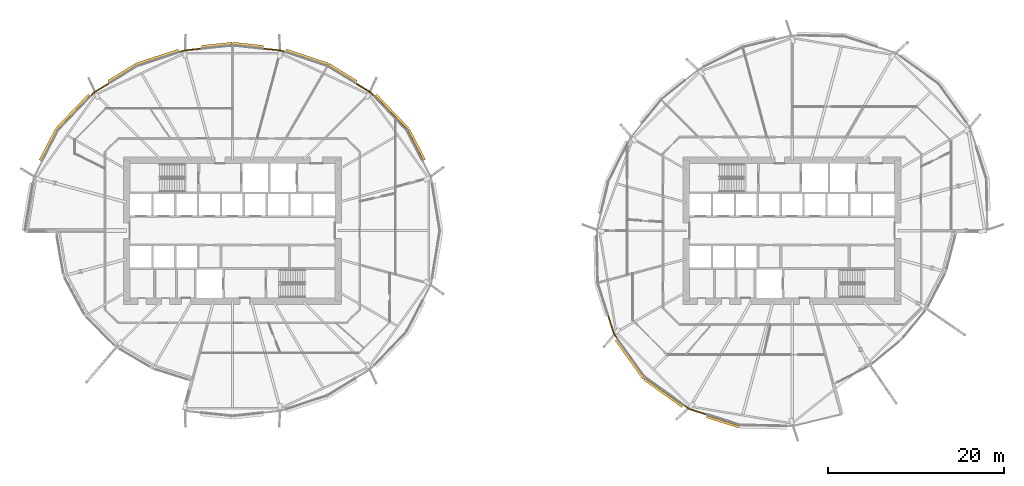
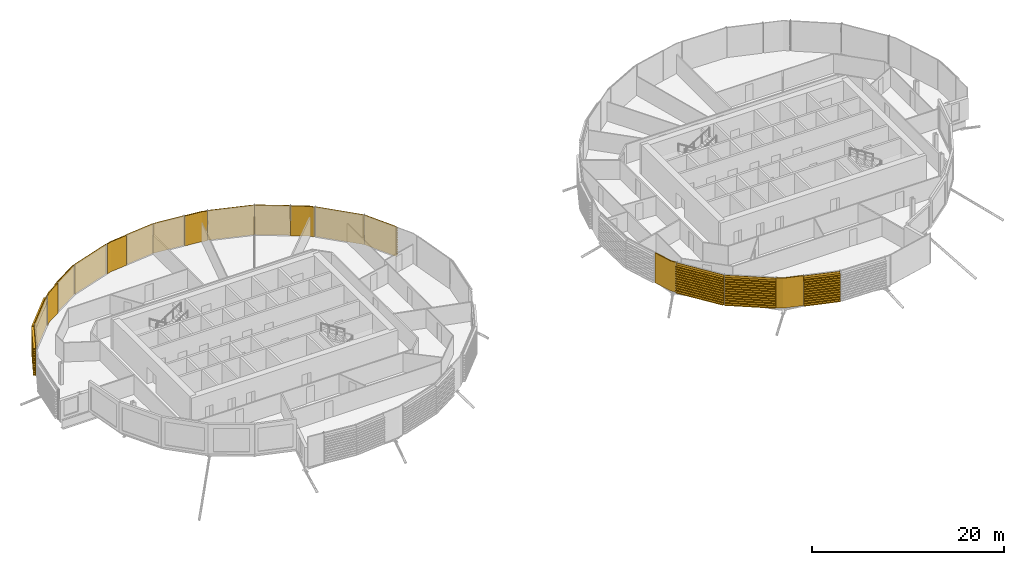
# One storey, part 36 of 39: 19 coverings.
"""IFC4 building model written with IfcOpenShell, lengths in metres."""

from ifc_helpers import new_model, si_unit, direction, frame, origin, place, context, subcontext, project, spatial, polyline, outline, extrude, material, layer, layer_set, material_profile, profile_set, type_object, element, save


model = new_model("IFC4")

# Units and contexts
model_context = context("Model", 3, precision=1e-05, world=origin(), true_north=direction((0.0, 1.0)))
body_context = subcontext(model_context, "Body", "Model", "MODEL_VIEW")
ifc_project = project(units=[si_unit("LENGTHUNIT", "METRE"), si_unit("AREAUNIT", "SQUARE_METRE"), si_unit("VOLUMEUNIT", "CUBIC_METRE"), si_unit("PLANEANGLEUNIT", "RADIAN"), si_unit("MASSUNIT", "GRAM", prefix="KILO")], contexts=[model_context])

# Site, building, storey
site_placement = place(None, origin())
site = spatial("IfcSite", under=ifc_project, at=site_placement, CompositionType="ELEMENT")
building_placement = place(site_placement, origin())
building = spatial("IfcBuilding", under=site, at=building_placement, Name="Rimbun Link Towers", CompositionType="ELEMENT")
storey_placement = place(building_placement, frame((0.0, 0.0, 96.800048828125)))
storey = spatial("IfcBuildingStorey", under=building, at=storey_placement, Name="L23", CompositionType="ELEMENT", Elevation=96.800048828125)

# Coverings
ifc_material_1 = material(Name="Terracotta", Category="masonry")
ifc_layer = layer(ifc_material_1, 0.1201171875)
ifc_layer_set = layer_set([ifc_layer], Name="LINK PIER terracotta cladding 120")
covering_type_1 = type_object("IfcCoveringType", Name="LINK PIER terracotta cladding 120", PredefinedType="CLADDING", material=ifc_layer_set)
covering_1_placement = place(storey_placement, origin())
element("IfcCovering", 1, at=covering_1_placement, inside=storey, type_object=covering_type_1, Name="LINK PIER cladding", PredefinedType="CLADDING", context=body_context, shape_type="SweptSolid", body=[
    extrude(outline(polyline([(-17.78125, 16.678466796875), (-16.102294921875, 15.647705078125), (-15.7080078125, 15.236083984375), (-15.621337890625, 15.319091796875), (-16.0263671875, 15.74169921875), (-17.718505859375, 16.78076171875), (-17.78125, 16.678466796875)])), origin(), (0.0, 0.0, 1.0), 3.800048828125),
])
covering_2_placement = place(storey_placement, origin())
element("IfcCovering", 2, at=covering_2_placement, inside=storey, type_object=covering_type_1, Name="LINK PIER cladding", PredefinedType="CLADDING", context=body_context, shape_type="SweptSolid", body=[
    extrude(outline(polyline([(-28.24267578125, 20.607666015625), (-26.283447265625, 20.4013671875), (-25.742431640625, 20.221923828125), (-25.70458984375, 20.3359375), (-26.258056640625, 20.519287109375), (-28.22998046875, 20.72705078125), (-28.24267578125, 20.607666015625)])), origin(), (0.0, 0.0, 1.0), 3.800048828125),
])
covering_3_placement = place(storey_placement, origin())
element("IfcCovering", 3, at=covering_3_placement, inside=storey, type_object=covering_type_1, Name="LINK PIER cladding", PredefinedType="CLADDING", context=body_context, shape_type="SweptSolid", body=[
    extrude(outline(polyline([(-37.757568359375, 20.221923828125), (-37.216552734375, 20.4013671875), (-35.25732421875, 20.607666015625), (-35.27001953125, 20.72705078125), (-37.241943359375, 20.519287109375), (-37.79541015625, 20.3359375), (-37.757568359375, 20.221923828125)])), origin(), (0.0, 0.0, 1.0), 3.800048828125),
])
covering_4_placement = place(storey_placement, origin())
element("IfcCovering", 4, at=covering_4_placement, inside=storey, type_object=covering_type_1, Name="LINK PIER cladding", PredefinedType="CLADDING", context=body_context, shape_type="SweptSolid", body=[
    extrude(outline(polyline([(-47.7919921875, 15.236083984375), (-47.397705078125, 15.647705078125), (-45.71875, 16.678466796875), (-45.781494140625, 16.78076171875), (-47.4736328125, 15.74169921875), (-47.878662109375, 15.319091796875), (-47.7919921875, 15.236083984375)])), origin(), (0.0, 0.0, 1.0), 3.800048828125),
])
covering_5_placement = place(storey_placement, origin())
element("IfcCovering", 5, at=covering_5_placement, inside=storey, type_object=covering_type_1, Name="LINK PIER cladding", PredefinedType="CLADDING", context=body_context, shape_type="SweptSolid", body=[
    extrude(outline(polyline([(11.965087890625, -12.192626953125), (11.574462890625, -11.648193359375), (10.916748046875, -9.580322265625), (10.802490234375, -9.61669921875), (11.4658203125, -11.702880859375), (11.86767578125, -12.2626953125), (11.965087890625, -12.192626953125)])), origin(), (0.0, 0.0, 1.0), 3.800048828125),
])
covering_6_placement = place(storey_placement, origin())
element("IfcCovering", 6, at=covering_6_placement, inside=storey, type_object=covering_type_1, Name="LINK PIER cladding", PredefinedType="CLADDING", context=body_context, shape_type="SweptSolid", body=[
    extrude(outline(polyline([(22.1220703125, -20.818115234375), (20.101806640625, -20.175537109375), (19.5166015625, -19.755859375), (19.44677734375, -19.853271484375), (20.047119140625, -20.2841796875), (22.085693359375, -20.932373046875), (22.1220703125, -20.818115234375)])), origin(), (0.0, 0.0, 1.0), 3.800048828125),
])
ifc_material_2 = material(Name="Terracotta", Category="masonry")
ifc_material_profile = material_profile(ifc_material_2, outline(polyline([(0.123046875, 0.0), (0.1630859375, 0.0), (0.1630859375, 0.10009765625), (0.423095703125, 0.10009765625), (0.423095703125, 0.219970703125), (0.1630859375, 0.219970703125), (0.1630859375, 0.39990234375), (0.423095703125, 0.39990234375), (0.423095703125, 0.52001953125), (0.1630859375, 0.52001953125), (0.1630859375, 0.699951171875), (0.423095703125, 0.699951171875), (0.423095703125, 0.820068359375), (0.1630859375, 0.820068359375), (0.1630859375, 1.0), (0.423095703125, 1.0), (0.423095703125, 1.1201171875), (0.1630859375, 1.1201171875), (0.1630859375, 1.300048828125), (0.423095703125, 1.300048828125), (0.423095703125, 1.419921875), (0.1630859375, 1.419921875), (0.1630859375, 1.60009765625), (0.423095703125, 1.60009765625), (0.423095703125, 1.719970703125), (0.1630859375, 1.719970703125), (0.1630859375, 1.89990234375), (0.423095703125, 1.89990234375), (0.423095703125, 2.02001953125), (0.1630859375, 2.02001953125), (0.1630859375, 2.199951171875), (0.423095703125, 2.199951171875), (0.423095703125, 2.320068359375), (0.1630859375, 2.320068359375), (0.1630859375, 2.5), (0.423095703125, 2.5), (0.423095703125, 2.6201171875), (0.1630859375, 2.6201171875), (0.1630859375, 2.800048828125), (0.423095703125, 2.800048828125), (0.423095703125, 2.919921875), (0.1630859375, 2.919921875), (0.1630859375, 3.10009765625), (0.423095703125, 3.10009765625), (0.423095703125, 3.219970703125), (0.1630859375, 3.219970703125), (0.1630859375, 3.39990234375), (0.423095703125, 3.39990234375), (0.423095703125, 3.52001953125), (0.1630859375, 3.52001953125), (0.1630859375, 3.800048828125), (0.123046875, 3.800048828125), (0.123046875, 0.0)])), Name="BAGUETTE 120X300")
ifc_profile_set = profile_set([ifc_material_profile], Name="Terracotta")
covering_type_2 = type_object("IfcCoveringType", Name="TERRACOTTA BAGUETTE 120X300 H3800", PredefinedType="CLADDING", material=ifc_profile_set)
covering_7_placement = place(storey_placement, frame((-12.02099609375, 11.390380859375, 0.0), z_axis=(0.459576472812, -0.888138201879, 0.0), x_axis=(0.888138201879, 0.459576472812, 0.0)))
element("IfcCovering", 7, at=covering_7_placement, inside=storey, type_object=covering_type_2, Name="TERRACOTTA BAGUETTE", PredefinedType="CLADDING", context=body_context, shape_type="SweptSolid", body=[
    extrude(outline(polyline([(0.123046875, 0.0), (0.1630859375, 0.0), (0.1630859375, 0.10009765625), (0.423095703125, 0.10009765625), (0.423095703125, 0.219970703125), (0.1630859375, 0.219970703125), (0.1630859375, 0.39990234375), (0.423095703125, 0.39990234375), (0.423095703125, 0.52001953125), (0.1630859375, 0.52001953125), (0.1630859375, 0.699951171875), (0.423095703125, 0.699951171875), (0.423095703125, 0.820068359375), (0.1630859375, 0.820068359375), (0.1630859375, 1.0), (0.423095703125, 1.0), (0.423095703125, 1.1201171875), (0.1630859375, 1.1201171875), (0.1630859375, 1.300048828125), (0.423095703125, 1.300048828125), (0.423095703125, 1.419921875), (0.1630859375, 1.419921875), (0.1630859375, 1.60009765625), (0.423095703125, 1.60009765625), (0.423095703125, 1.719970703125), (0.1630859375, 1.719970703125), (0.1630859375, 1.89990234375), (0.423095703125, 1.89990234375), (0.423095703125, 2.02001953125), (0.1630859375, 2.02001953125), (0.1630859375, 2.199951171875), (0.423095703125, 2.199951171875), (0.423095703125, 2.320068359375), (0.1630859375, 2.320068359375), (0.1630859375, 2.5), (0.423095703125, 2.5), (0.423095703125, 2.6201171875), (0.1630859375, 2.6201171875), (0.1630859375, 2.800048828125), (0.423095703125, 2.800048828125), (0.423095703125, 2.919921875), (0.1630859375, 2.919921875), (0.1630859375, 3.10009765625), (0.423095703125, 3.10009765625), (0.423095703125, 3.219970703125), (0.1630859375, 3.219970703125), (0.1630859375, 3.39990234375), (0.423095703125, 3.39990234375), (0.423095703125, 3.52001953125), (0.1630859375, 3.52001953125), (0.1630859375, 3.800048828125), (0.123046875, 3.800048828125), (0.123046875, 0.0)])), origin(), (0.0, 0.0, 1.0), 3.935791015625),
])
covering_8_placement = place(storey_placement, frame((-15.687255859375, 15.214599609375, 0.0), z_axis=(0.6920414756, -0.721857739482, 0.0), x_axis=(0.721857739482, 0.6920414756, 0.0)))
element("IfcCovering", 8, at=covering_8_placement, inside=storey, type_object=covering_type_2, Name="TERRACOTTA BAGUETTE", PredefinedType="CLADDING", context=body_context, shape_type="SweptSolid", body=[
    extrude(outline(polyline([(0.123046875, 0.0), (0.1630859375, 0.0), (0.1630859375, 0.10009765625), (0.423095703125, 0.10009765625), (0.423095703125, 0.219970703125), (0.1630859375, 0.219970703125), (0.1630859375, 0.39990234375), (0.423095703125, 0.39990234375), (0.423095703125, 0.52001953125), (0.1630859375, 0.52001953125), (0.1630859375, 0.699951171875), (0.423095703125, 0.699951171875), (0.423095703125, 0.820068359375), (0.1630859375, 0.820068359375), (0.1630859375, 1.0), (0.423095703125, 1.0), (0.423095703125, 1.1201171875), (0.1630859375, 1.1201171875), (0.1630859375, 1.300048828125), (0.423095703125, 1.300048828125), (0.423095703125, 1.419921875), (0.1630859375, 1.419921875), (0.1630859375, 1.60009765625), (0.423095703125, 1.60009765625), (0.423095703125, 1.719970703125), (0.1630859375, 1.719970703125), (0.1630859375, 1.89990234375), (0.423095703125, 1.89990234375), (0.423095703125, 2.02001953125), (0.1630859375, 2.02001953125), (0.1630859375, 2.199951171875), (0.423095703125, 2.199951171875), (0.423095703125, 2.320068359375), (0.1630859375, 2.320068359375), (0.1630859375, 2.5), (0.423095703125, 2.5), (0.423095703125, 2.6201171875), (0.1630859375, 2.6201171875), (0.1630859375, 2.800048828125), (0.423095703125, 2.800048828125), (0.423095703125, 2.919921875), (0.1630859375, 2.919921875), (0.1630859375, 3.10009765625), (0.423095703125, 3.10009765625), (0.423095703125, 3.219970703125), (0.1630859375, 3.219970703125), (0.1630859375, 3.39990234375), (0.423095703125, 3.39990234375), (0.423095703125, 3.52001953125), (0.1630859375, 3.52001953125), (0.1630859375, 3.800048828125), (0.123046875, 3.800048828125), (0.123046875, 0.0)])), origin(), (0.0, 0.0, 1.0), 5.2978515625),
])
covering_9_placement = place(storey_placement, frame((-20.985107421875, 18.6455078125, 0.0), z_axis=(0.852186076531, -0.523238846959, 0.0), x_axis=(0.523238846959, 0.852186076531, 0.0)))
element("IfcCovering", 9, at=covering_9_placement, inside=storey, type_object=covering_type_2, Name="TERRACOTTA BAGUETTE", PredefinedType="CLADDING", context=body_context, shape_type="SweptSolid", body=[
    extrude(outline(polyline([(0.123046875, 0.0), (0.1630859375, 0.0), (0.1630859375, 0.10009765625), (0.423095703125, 0.10009765625), (0.423095703125, 0.219970703125), (0.1630859375, 0.219970703125), (0.1630859375, 0.39990234375), (0.423095703125, 0.39990234375), (0.423095703125, 0.52001953125), (0.1630859375, 0.52001953125), (0.1630859375, 0.699951171875), (0.423095703125, 0.699951171875), (0.423095703125, 0.820068359375), (0.1630859375, 0.820068359375), (0.1630859375, 1.0), (0.423095703125, 1.0), (0.423095703125, 1.1201171875), (0.1630859375, 1.1201171875), (0.1630859375, 1.300048828125), (0.423095703125, 1.300048828125), (0.423095703125, 1.419921875), (0.1630859375, 1.419921875), (0.1630859375, 1.60009765625), (0.423095703125, 1.60009765625), (0.423095703125, 1.719970703125), (0.1630859375, 1.719970703125), (0.1630859375, 1.89990234375), (0.423095703125, 1.89990234375), (0.423095703125, 2.02001953125), (0.1630859375, 2.02001953125), (0.1630859375, 2.199951171875), (0.423095703125, 2.199951171875), (0.423095703125, 2.320068359375), (0.1630859375, 2.320068359375), (0.1630859375, 2.5), (0.423095703125, 2.5), (0.423095703125, 2.6201171875), (0.1630859375, 2.6201171875), (0.1630859375, 2.800048828125), (0.423095703125, 2.800048828125), (0.423095703125, 2.919921875), (0.1630859375, 2.919921875), (0.1630859375, 3.10009765625), (0.423095703125, 3.10009765625), (0.423095703125, 3.219970703125), (0.1630859375, 3.219970703125), (0.1630859375, 3.39990234375), (0.423095703125, 3.39990234375), (0.423095703125, 3.52001953125), (0.1630859375, 3.52001953125), (0.1630859375, 3.800048828125), (0.123046875, 3.800048828125), (0.123046875, 0.0)])), origin(), (0.0, 0.0, 1.0), 3.7294921875),
])
covering_10_placement = place(storey_placement, frame((-25.7138671875, 20.212646484375, 0.0), z_axis=(0.949230755565, -0.314580629871, 0.0), x_axis=(0.314580629871, 0.949230755565, 0.0)))
element("IfcCovering", 10, at=covering_10_placement, inside=storey, type_object=covering_type_2, Name="TERRACOTTA BAGUETTE", PredefinedType="CLADDING", context=body_context, shape_type="SweptSolid", body=[
    extrude(outline(polyline([(0.123046875, 0.0), (0.1630859375, 0.0), (0.1630859375, 0.10009765625), (0.423095703125, 0.10009765625), (0.423095703125, 0.219970703125), (0.1630859375, 0.219970703125), (0.1630859375, 0.39990234375), (0.423095703125, 0.39990234375), (0.423095703125, 0.52001953125), (0.1630859375, 0.52001953125), (0.1630859375, 0.699951171875), (0.423095703125, 0.699951171875), (0.423095703125, 0.820068359375), (0.1630859375, 0.820068359375), (0.1630859375, 1.0), (0.423095703125, 1.0), (0.423095703125, 1.1201171875), (0.1630859375, 1.1201171875), (0.1630859375, 1.300048828125), (0.423095703125, 1.300048828125), (0.423095703125, 1.419921875), (0.1630859375, 1.419921875), (0.1630859375, 1.60009765625), (0.423095703125, 1.60009765625), (0.423095703125, 1.719970703125), (0.1630859375, 1.719970703125), (0.1630859375, 1.89990234375), (0.423095703125, 1.89990234375), (0.423095703125, 2.02001953125), (0.1630859375, 2.02001953125), (0.1630859375, 2.199951171875), (0.423095703125, 2.199951171875), (0.423095703125, 2.320068359375), (0.1630859375, 2.320068359375), (0.1630859375, 2.5), (0.423095703125, 2.5), (0.423095703125, 2.6201171875), (0.1630859375, 2.6201171875), (0.1630859375, 2.800048828125), (0.423095703125, 2.800048828125), (0.423095703125, 2.919921875), (0.1630859375, 2.919921875), (0.1630859375, 3.10009765625), (0.423095703125, 3.10009765625), (0.423095703125, 3.219970703125), (0.1630859375, 3.219970703125), (0.1630859375, 3.39990234375), (0.423095703125, 3.39990234375), (0.423095703125, 3.52001953125), (0.1630859375, 3.52001953125), (0.1630859375, 3.800048828125), (0.123046875, 3.800048828125), (0.123046875, 0.0)])), origin(), (0.0, 0.0, 1.0), 4.981689453125),
])
for number, where, z_axis, x_axis, name in (
    (11, (-31.75, 20.97705078125, 0.0), (0.994500861131, -0.104728397339, 0.0), (0.104728397339, 0.994500861131, 0.0), "TERRACOTTA BAGUETTE"),
    (12, (-35.2275390625, 20.61083984375, 0.0), (0.994500861131, 0.104728397339, 0.0), (-0.104728397339, 0.994500861131, 0.0), "TERRACOTTA BAGUETTE"),
):
    element("IfcCovering", number, at=place(storey_placement, frame(where, z_axis=z_axis, x_axis=x_axis)), inside=storey, type_object=covering_type_2, Name=name, PredefinedType="CLADDING", context=body_context, shape_type="SweptSolid", body=[
        extrude(outline(polyline([(0.123046875, 0.0), (0.1630859375, 0.0), (0.1630859375, 0.10009765625), (0.423095703125, 0.10009765625), (0.423095703125, 0.219970703125), (0.1630859375, 0.219970703125), (0.1630859375, 0.39990234375), (0.423095703125, 0.39990234375), (0.423095703125, 0.52001953125), (0.1630859375, 0.52001953125), (0.1630859375, 0.699951171875), (0.423095703125, 0.699951171875), (0.423095703125, 0.820068359375), (0.1630859375, 0.820068359375), (0.1630859375, 1.0), (0.423095703125, 1.0), (0.423095703125, 1.1201171875), (0.1630859375, 1.1201171875), (0.1630859375, 1.300048828125), (0.423095703125, 1.300048828125), (0.423095703125, 1.419921875), (0.1630859375, 1.419921875), (0.1630859375, 1.60009765625), (0.423095703125, 1.60009765625), (0.423095703125, 1.719970703125), (0.1630859375, 1.719970703125), (0.1630859375, 1.89990234375), (0.423095703125, 1.89990234375), (0.423095703125, 2.02001953125), (0.1630859375, 2.02001953125), (0.1630859375, 2.199951171875), (0.423095703125, 2.199951171875), (0.423095703125, 2.320068359375), (0.1630859375, 2.320068359375), (0.1630859375, 2.5), (0.423095703125, 2.5), (0.423095703125, 2.6201171875), (0.1630859375, 2.6201171875), (0.1630859375, 2.800048828125), (0.423095703125, 2.800048828125), (0.423095703125, 2.919921875), (0.1630859375, 2.919921875), (0.1630859375, 3.10009765625), (0.423095703125, 3.10009765625), (0.423095703125, 3.219970703125), (0.1630859375, 3.219970703125), (0.1630859375, 3.39990234375), (0.423095703125, 3.39990234375), (0.423095703125, 3.52001953125), (0.1630859375, 3.52001953125), (0.1630859375, 3.800048828125), (0.123046875, 3.800048828125), (0.123046875, 0.0)])), origin(), (0.0, 0.0, 1.0), 3.496826171875),
    ])
covering_11_placement = place(storey_placement, frame((-42.514892578125, 18.6455078125, 0.0), z_axis=(0.949230755565, 0.314580629871, 0.0), x_axis=(-0.314580629871, 0.949230755565, 0.0)))
element("IfcCovering", 13, at=covering_11_placement, inside=storey, type_object=covering_type_2, Name="TERRACOTTA BAGUETTE", PredefinedType="CLADDING", context=body_context, shape_type="SweptSolid", body=[
    extrude(outline(polyline([(0.123046875, 0.0), (0.1630859375, 0.0), (0.1630859375, 0.10009765625), (0.423095703125, 0.10009765625), (0.423095703125, 0.219970703125), (0.1630859375, 0.219970703125), (0.1630859375, 0.39990234375), (0.423095703125, 0.39990234375), (0.423095703125, 0.52001953125), (0.1630859375, 0.52001953125), (0.1630859375, 0.699951171875), (0.423095703125, 0.699951171875), (0.423095703125, 0.820068359375), (0.1630859375, 0.820068359375), (0.1630859375, 1.0), (0.423095703125, 1.0), (0.423095703125, 1.1201171875), (0.1630859375, 1.1201171875), (0.1630859375, 1.300048828125), (0.423095703125, 1.300048828125), (0.423095703125, 1.419921875), (0.1630859375, 1.419921875), (0.1630859375, 1.60009765625), (0.423095703125, 1.60009765625), (0.423095703125, 1.719970703125), (0.1630859375, 1.719970703125), (0.1630859375, 1.89990234375), (0.423095703125, 1.89990234375), (0.423095703125, 2.02001953125), (0.1630859375, 2.02001953125), (0.1630859375, 2.199951171875), (0.423095703125, 2.199951171875), (0.423095703125, 2.320068359375), (0.1630859375, 2.320068359375), (0.1630859375, 2.5), (0.423095703125, 2.5), (0.423095703125, 2.6201171875), (0.1630859375, 2.6201171875), (0.1630859375, 2.800048828125), (0.423095703125, 2.800048828125), (0.423095703125, 2.919921875), (0.1630859375, 2.919921875), (0.1630859375, 3.10009765625), (0.423095703125, 3.10009765625), (0.423095703125, 3.219970703125), (0.1630859375, 3.219970703125), (0.1630859375, 3.39990234375), (0.423095703125, 3.39990234375), (0.423095703125, 3.52001953125), (0.1630859375, 3.52001953125), (0.1630859375, 3.800048828125), (0.123046875, 3.800048828125), (0.123046875, 0.0)])), origin(), (0.0, 0.0, 1.0), 4.981689453125),
])
covering_12_placement = place(storey_placement, frame((-45.693115234375, 16.694091796875, 0.0), z_axis=(0.852186076531, 0.523238846959, 0.0), x_axis=(-0.523238846959, 0.852186076531, 0.0)))
element("IfcCovering", 14, at=covering_12_placement, inside=storey, type_object=covering_type_2, Name="TERRACOTTA BAGUETTE", PredefinedType="CLADDING", context=body_context, shape_type="SweptSolid", body=[
    extrude(outline(polyline([(0.123046875, 0.0), (0.1630859375, 0.0), (0.1630859375, 0.10009765625), (0.423095703125, 0.10009765625), (0.423095703125, 0.219970703125), (0.1630859375, 0.219970703125), (0.1630859375, 0.39990234375), (0.423095703125, 0.39990234375), (0.423095703125, 0.52001953125), (0.1630859375, 0.52001953125), (0.1630859375, 0.699951171875), (0.423095703125, 0.699951171875), (0.423095703125, 0.820068359375), (0.1630859375, 0.820068359375), (0.1630859375, 1.0), (0.423095703125, 1.0), (0.423095703125, 1.1201171875), (0.1630859375, 1.1201171875), (0.1630859375, 1.300048828125), (0.423095703125, 1.300048828125), (0.423095703125, 1.419921875), (0.1630859375, 1.419921875), (0.1630859375, 1.60009765625), (0.423095703125, 1.60009765625), (0.423095703125, 1.719970703125), (0.1630859375, 1.719970703125), (0.1630859375, 1.89990234375), (0.423095703125, 1.89990234375), (0.423095703125, 2.02001953125), (0.1630859375, 2.02001953125), (0.1630859375, 2.199951171875), (0.423095703125, 2.199951171875), (0.423095703125, 2.320068359375), (0.1630859375, 2.320068359375), (0.1630859375, 2.5), (0.423095703125, 2.5), (0.423095703125, 2.6201171875), (0.1630859375, 2.6201171875), (0.1630859375, 2.800048828125), (0.423095703125, 2.800048828125), (0.423095703125, 2.919921875), (0.1630859375, 2.919921875), (0.1630859375, 3.10009765625), (0.423095703125, 3.10009765625), (0.423095703125, 3.219970703125), (0.1630859375, 3.219970703125), (0.1630859375, 3.39990234375), (0.423095703125, 3.39990234375), (0.423095703125, 3.52001953125), (0.1630859375, 3.52001953125), (0.1630859375, 3.800048828125), (0.123046875, 3.800048828125), (0.123046875, 0.0)])), origin(), (0.0, 0.0, 1.0), 3.7294921875),
])
covering_13_placement = place(storey_placement, frame((-51.47900390625, 11.390380859375, 0.0), z_axis=(0.6920414756, 0.721857739482, 0.0), x_axis=(-0.721857739482, 0.6920414756, 0.0)))
element("IfcCovering", 15, at=covering_13_placement, inside=storey, type_object=covering_type_2, Name="TERRACOTTA BAGUETTE", PredefinedType="CLADDING", context=body_context, shape_type="SweptSolid", body=[
    extrude(outline(polyline([(0.123046875, 0.0), (0.1630859375, 0.0), (0.1630859375, 0.10009765625), (0.423095703125, 0.10009765625), (0.423095703125, 0.219970703125), (0.1630859375, 0.219970703125), (0.1630859375, 0.39990234375), (0.423095703125, 0.39990234375), (0.423095703125, 0.52001953125), (0.1630859375, 0.52001953125), (0.1630859375, 0.699951171875), (0.423095703125, 0.699951171875), (0.423095703125, 0.820068359375), (0.1630859375, 0.820068359375), (0.1630859375, 1.0), (0.423095703125, 1.0), (0.423095703125, 1.1201171875), (0.1630859375, 1.1201171875), (0.1630859375, 1.300048828125), (0.423095703125, 1.300048828125), (0.423095703125, 1.419921875), (0.1630859375, 1.419921875), (0.1630859375, 1.60009765625), (0.423095703125, 1.60009765625), (0.423095703125, 1.719970703125), (0.1630859375, 1.719970703125), (0.1630859375, 1.89990234375), (0.423095703125, 1.89990234375), (0.423095703125, 2.02001953125), (0.1630859375, 2.02001953125), (0.1630859375, 2.199951171875), (0.423095703125, 2.199951171875), (0.423095703125, 2.320068359375), (0.1630859375, 2.320068359375), (0.1630859375, 2.5), (0.423095703125, 2.5), (0.423095703125, 2.6201171875), (0.1630859375, 2.6201171875), (0.1630859375, 2.800048828125), (0.423095703125, 2.800048828125), (0.423095703125, 2.919921875), (0.1630859375, 2.919921875), (0.1630859375, 3.10009765625), (0.423095703125, 3.10009765625), (0.423095703125, 3.219970703125), (0.1630859375, 3.219970703125), (0.1630859375, 3.39990234375), (0.423095703125, 3.39990234375), (0.423095703125, 3.52001953125), (0.1630859375, 3.52001953125), (0.1630859375, 3.800048828125), (0.123046875, 3.800048828125), (0.123046875, 0.0)])), origin(), (0.0, 0.0, 1.0), 5.2978515625),
])
covering_14_placement = place(storey_placement, frame((-53.310791015625, 7.850341796875, 0.0), z_axis=(0.459567881629, 0.888142647425, 0.0), x_axis=(-0.888142647425, 0.459567881629, 0.0)))
element("IfcCovering", 16, at=covering_14_placement, inside=storey, type_object=covering_type_2, Name="TERRACOTTA BAGUETTE", PredefinedType="CLADDING", context=body_context, shape_type="SweptSolid", body=[
    extrude(outline(polyline([(0.123046875, 0.0), (0.1630859375, 0.0), (0.1630859375, 0.10009765625), (0.423095703125, 0.10009765625), (0.423095703125, 0.219970703125), (0.1630859375, 0.219970703125), (0.1630859375, 0.39990234375), (0.423095703125, 0.39990234375), (0.423095703125, 0.52001953125), (0.1630859375, 0.52001953125), (0.1630859375, 0.699951171875), (0.423095703125, 0.699951171875), (0.423095703125, 0.820068359375), (0.1630859375, 0.820068359375), (0.1630859375, 1.0), (0.423095703125, 1.0), (0.423095703125, 1.1201171875), (0.1630859375, 1.1201171875), (0.1630859375, 1.300048828125), (0.423095703125, 1.300048828125), (0.423095703125, 1.419921875), (0.1630859375, 1.419921875), (0.1630859375, 1.60009765625), (0.423095703125, 1.60009765625), (0.423095703125, 1.719970703125), (0.1630859375, 1.719970703125), (0.1630859375, 1.89990234375), (0.423095703125, 1.89990234375), (0.423095703125, 2.02001953125), (0.1630859375, 2.02001953125), (0.1630859375, 2.199951171875), (0.423095703125, 2.199951171875), (0.423095703125, 2.320068359375), (0.1630859375, 2.320068359375), (0.1630859375, 2.5), (0.423095703125, 2.5), (0.423095703125, 2.6201171875), (0.1630859375, 2.6201171875), (0.1630859375, 2.800048828125), (0.423095703125, 2.800048828125), (0.423095703125, 2.919921875), (0.1630859375, 2.919921875), (0.1630859375, 3.10009765625), (0.423095703125, 3.10009765625), (0.423095703125, 3.219970703125), (0.1630859375, 3.219970703125), (0.1630859375, 3.39990234375), (0.423095703125, 3.39990234375), (0.423095703125, 3.52001953125), (0.1630859375, 3.52001953125), (0.1630859375, 3.800048828125), (0.123046875, 3.800048828125), (0.123046875, 0.0)])), origin(), (0.0, 0.0, 1.0), 3.98583984375),
])
covering_15_placement = place(storey_placement, frame((15.136962890625, -16.613037109375, 0.0), z_axis=(-0.582986883394, 0.812481565201, 0.0), x_axis=(-0.812481565201, -0.582986883394, 0.0)))
element("IfcCovering", 17, at=covering_15_placement, inside=storey, type_object=covering_type_2, Name="TERRACOTTA BAGUETTE", PredefinedType="CLADDING", context=body_context, shape_type="SweptSolid", body=[
    extrude(outline(polyline([(0.123046875, 0.0), (0.1630859375, 0.0), (0.1630859375, 0.10009765625), (0.423095703125, 0.10009765625), (0.423095703125, 0.219970703125), (0.1630859375, 0.219970703125), (0.1630859375, 0.39990234375), (0.423095703125, 0.39990234375), (0.423095703125, 0.52001953125), (0.1630859375, 0.52001953125), (0.1630859375, 0.699951171875), (0.423095703125, 0.699951171875), (0.423095703125, 0.820068359375), (0.1630859375, 0.820068359375), (0.1630859375, 1.0), (0.423095703125, 1.0), (0.423095703125, 1.1201171875), (0.1630859375, 1.1201171875), (0.1630859375, 1.300048828125), (0.423095703125, 1.300048828125), (0.423095703125, 1.419921875), (0.1630859375, 1.419921875), (0.1630859375, 1.60009765625), (0.423095703125, 1.60009765625), (0.423095703125, 1.719970703125), (0.1630859375, 1.719970703125), (0.1630859375, 1.89990234375), (0.423095703125, 1.89990234375), (0.423095703125, 2.02001953125), (0.1630859375, 2.02001953125), (0.1630859375, 2.199951171875), (0.423095703125, 2.199951171875), (0.423095703125, 2.320068359375), (0.1630859375, 2.320068359375), (0.1630859375, 2.5), (0.423095703125, 2.5), (0.423095703125, 2.6201171875), (0.1630859375, 2.6201171875), (0.1630859375, 2.800048828125), (0.423095703125, 2.800048828125), (0.423095703125, 2.919921875), (0.1630859375, 2.919921875), (0.1630859375, 3.10009765625), (0.423095703125, 3.10009765625), (0.423095703125, 3.219970703125), (0.1630859375, 3.219970703125), (0.1630859375, 3.39990234375), (0.423095703125, 3.39990234375), (0.423095703125, 3.52001953125), (0.1630859375, 3.52001953125), (0.1630859375, 3.800048828125), (0.123046875, 3.800048828125), (0.123046875, 0.0)])), origin(), (0.0, 0.0, 1.0), 5.41064453125),
])
covering_16_placement = place(storey_placement, frame((19.492431640625, -19.73828125, 0.0), z_axis=(-0.812479161919, 0.58299023272, 0.0), x_axis=(-0.58299023272, -0.812479161919, 0.0)))
element("IfcCovering", 18, at=covering_16_placement, inside=storey, type_object=covering_type_2, Name="TERRACOTTA BAGUETTE", PredefinedType="CLADDING", context=body_context, shape_type="SweptSolid", body=[
    extrude(outline(polyline([(0.123046875, 0.0), (0.1630859375, 0.0), (0.1630859375, 0.10009765625), (0.423095703125, 0.10009765625), (0.423095703125, 0.219970703125), (0.1630859375, 0.219970703125), (0.1630859375, 0.39990234375), (0.423095703125, 0.39990234375), (0.423095703125, 0.52001953125), (0.1630859375, 0.52001953125), (0.1630859375, 0.699951171875), (0.423095703125, 0.699951171875), (0.423095703125, 0.820068359375), (0.1630859375, 0.820068359375), (0.1630859375, 1.0), (0.423095703125, 1.0), (0.423095703125, 1.1201171875), (0.1630859375, 1.1201171875), (0.1630859375, 1.300048828125), (0.423095703125, 1.300048828125), (0.423095703125, 1.419921875), (0.1630859375, 1.419921875), (0.1630859375, 1.60009765625), (0.423095703125, 1.60009765625), (0.423095703125, 1.719970703125), (0.1630859375, 1.719970703125), (0.1630859375, 1.89990234375), (0.423095703125, 1.89990234375), (0.423095703125, 2.02001953125), (0.1630859375, 2.02001953125), (0.1630859375, 2.199951171875), (0.423095703125, 2.199951171875), (0.423095703125, 2.320068359375), (0.1630859375, 2.320068359375), (0.1630859375, 2.5), (0.423095703125, 2.5), (0.423095703125, 2.6201171875), (0.1630859375, 2.6201171875), (0.1630859375, 2.800048828125), (0.423095703125, 2.800048828125), (0.423095703125, 2.919921875), (0.1630859375, 2.919921875), (0.1630859375, 3.10009765625), (0.423095703125, 3.10009765625), (0.423095703125, 3.219970703125), (0.1630859375, 3.219970703125), (0.1630859375, 3.39990234375), (0.423095703125, 3.39990234375), (0.423095703125, 3.52001953125), (0.1630859375, 3.52001953125), (0.1630859375, 3.800048828125), (0.123046875, 3.800048828125), (0.123046875, 0.0)])), origin(), (0.0, 0.0, 1.0), 5.360595703125),
])
covering_17_placement = place(storey_placement, frame((25.853759765625, -22.0048828125, 0.0), z_axis=(-0.952965377873, 0.303079178722, 0.0), x_axis=(-0.303079178722, -0.952965377873, 0.0)))
element("IfcCovering", 19, at=covering_17_placement, inside=storey, type_object=covering_type_2, Name="TERRACOTTA BAGUETTE", PredefinedType="CLADDING", context=body_context, shape_type="SweptSolid", body=[
    extrude(outline(polyline([(0.123046875, 0.0), (0.1630859375, 0.0), (0.1630859375, 0.10009765625), (0.423095703125, 0.10009765625), (0.423095703125, 0.219970703125), (0.1630859375, 0.219970703125), (0.1630859375, 0.39990234375), (0.423095703125, 0.39990234375), (0.423095703125, 0.52001953125), (0.1630859375, 0.52001953125), (0.1630859375, 0.699951171875), (0.423095703125, 0.699951171875), (0.423095703125, 0.820068359375), (0.1630859375, 0.820068359375), (0.1630859375, 1.0), (0.423095703125, 1.0), (0.423095703125, 1.1201171875), (0.1630859375, 1.1201171875), (0.1630859375, 1.300048828125), (0.423095703125, 1.300048828125), (0.423095703125, 1.419921875), (0.1630859375, 1.419921875), (0.1630859375, 1.60009765625), (0.423095703125, 1.60009765625), (0.423095703125, 1.719970703125), (0.1630859375, 1.719970703125), (0.1630859375, 1.89990234375), (0.423095703125, 1.89990234375), (0.423095703125, 2.02001953125), (0.1630859375, 2.02001953125), (0.1630859375, 2.199951171875), (0.423095703125, 2.199951171875), (0.423095703125, 2.320068359375), (0.1630859375, 2.320068359375), (0.1630859375, 2.5), (0.423095703125, 2.5), (0.423095703125, 2.6201171875), (0.1630859375, 2.6201171875), (0.1630859375, 2.800048828125), (0.423095703125, 2.800048828125), (0.423095703125, 2.919921875), (0.1630859375, 2.919921875), (0.1630859375, 3.10009765625), (0.423095703125, 3.10009765625), (0.423095703125, 3.219970703125), (0.1630859375, 3.219970703125), (0.1630859375, 3.39990234375), (0.423095703125, 3.39990234375), (0.423095703125, 3.52001953125), (0.1630859375, 3.52001953125), (0.1630859375, 3.800048828125), (0.123046875, 3.800048828125), (0.123046875, 0.0)])), origin(), (0.0, 0.0, 1.0), 3.885986328125),
])

save(model, "model.ifc")
